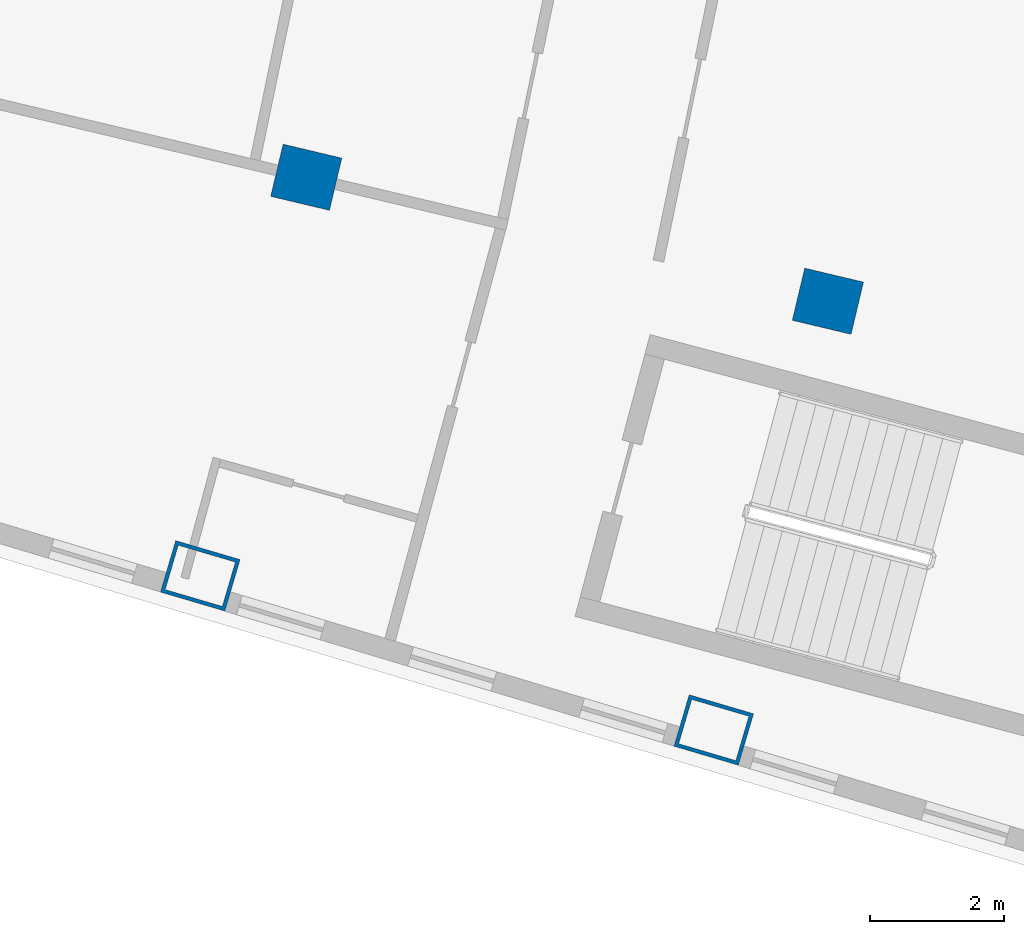
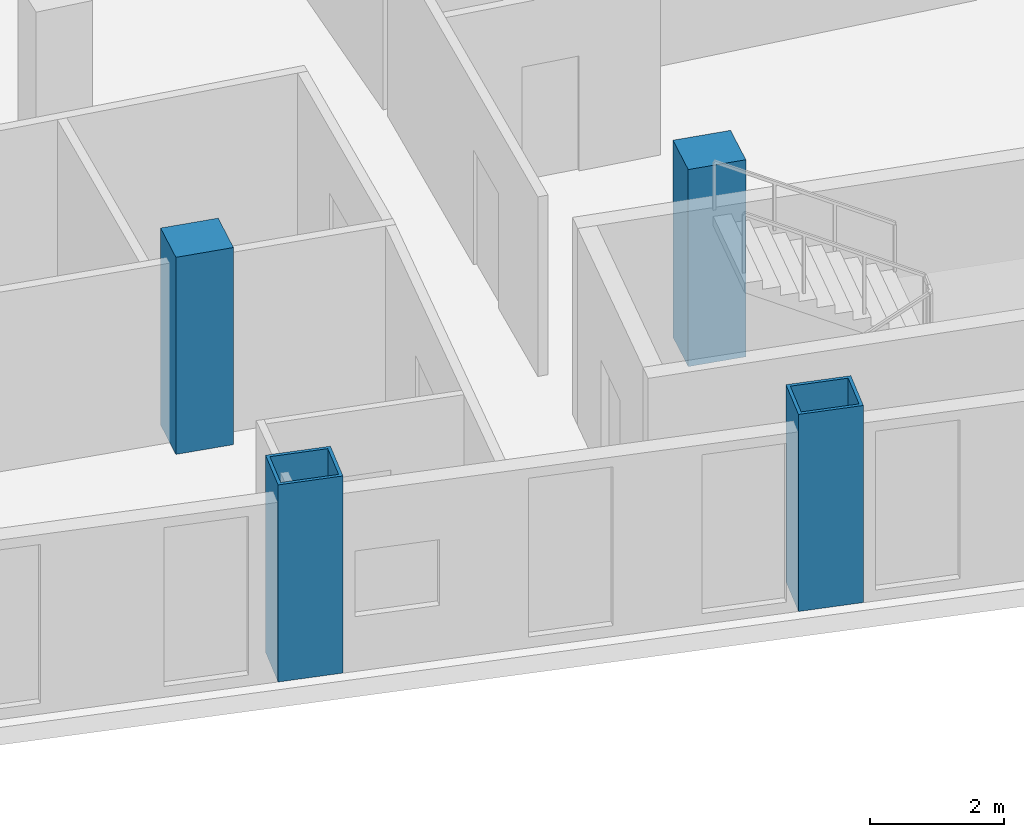
# One storey, part 2 of 22: 4 columns.
"""IFC4 building model written with IfcOpenShell, lengths in metres."""

from ifc_helpers import new_model, si_unit, direction, frame, origin, origin_2d, place, context, subcontext, project, spatial, rectangle, hollow_rectangle, extrude, material, material_profile, profile_set, type_object, element, save


model = new_model("IFC4")

# Units and contexts
model_context = context("Model", 3, precision=1e-05, world=origin(), true_north=direction((0.0, 1.0)))
body_context = subcontext(model_context, "Body", "Model", "MODEL_VIEW")
ifc_project = project(units=[si_unit("LENGTHUNIT", "METRE"), si_unit("AREAUNIT", "SQUARE_METRE"), si_unit("VOLUMEUNIT", "CUBIC_METRE"), si_unit("PLANEANGLEUNIT", "RADIAN"), si_unit("MASSUNIT", "GRAM", prefix="KILO")], contexts=[model_context])

# Site, building, storey
site_placement = place(None, origin())
site = spatial("IfcSite", under=ifc_project, at=site_placement, CompositionType="ELEMENT")
building_placement = place(site_placement, origin())
building = spatial("IfcBuilding", under=site, at=building_placement, Name="Alderwake Tower", CompositionType="ELEMENT")
storey_placement = place(building_placement, frame((0.0, 0.0, 156.800048828125)))
storey = spatial("IfcBuildingStorey", under=building, at=storey_placement, Name="L38", CompositionType="ELEMENT", Elevation=156.800048828125)

# Columns
ifc_material_1 = material(Name="Steel ASTM A572 Grade 50 concrete filled C70/85", Category="concrete")
ifc_material_profile_1 = material_profile(ifc_material_1, hollow_rectangle(XDim=0.800048828125, YDim=1.0, WallThickness=0.054931640625, at=origin_2d()), Name="BOX 1000X800X55")
ifc_profile_set_1 = profile_set([ifc_material_profile_1], Name="Steel ASTM A572 Grade 50 concrete filled C70/85")
column_type_1 = type_object("IfcColumnType", Name="End column Z3", PredefinedType="COLUMN", material=ifc_profile_set_1)
for number, where, z_axis, x_axis, name in (
    (1, (31.080322265625, 28.27685546875, 0.0), (0.0, 0.0, 1.0), (0.282582549822, 0.959242984095, 0.0), "Column R02-C2"),
    (2, (38.74267578125, 25.9765625, 0.0), (0.0, 0.0, 1.0), (0.282903979359, 0.959148235917, 0.0), "Column R02-C3"),
):
    element("IfcColumn", number, at=place(storey_placement, frame(where, z_axis=z_axis, x_axis=x_axis)), inside=storey, type_object=column_type_1, Name=name, PredefinedType="COLUMN", context=body_context, shape_type="SweptSolid", body=[
        extrude(hollow_rectangle(XDim=0.800048828125, YDim=1.0, WallThickness=0.054931640625, at=origin_2d()), origin(), (0.0, 0.0, 1.0), 3.599853515625),
    ])
ifc_material_2 = material(Name="Concrete C70/85", Category="concrete")
ifc_material_profile_2 = material_profile(ifc_material_2, rectangle(XDim=0.800048828125, YDim=0.89990234375, at=origin_2d()), Name="RC 900X800")
ifc_profile_set_2 = profile_set([ifc_material_profile_2], Name="Concrete C70/85")
column_type_2 = type_object("IfcColumnType", Name="Interior column Z3", PredefinedType="COLUMN", material=ifc_profile_set_2)
for number, where, z_axis, x_axis, name in (
    (3, (32.661865234375, 34.224609375, 0.0), (0.0, 0.0, 1.0), (0.231221547198, 0.972901123502, 0.0), "Column R03-C2"),
    (4, (40.4453125, 32.374755859375, 0.0), (0.0, 0.0, 1.0), (0.231221547198, 0.972901123502, 0.0), "Column R03-C3"),
):
    element("IfcColumn", number, at=place(storey_placement, frame(where, z_axis=z_axis, x_axis=x_axis)), inside=storey, type_object=column_type_2, Name=name, PredefinedType="COLUMN", context=body_context, shape_type="SweptSolid", body=[
        extrude(rectangle(XDim=0.800048828125, YDim=0.89990234375, at=origin_2d()), origin(), (0.0, 0.0, 1.0), 3.599853515625),
    ])

save(model, "model.ifc")
